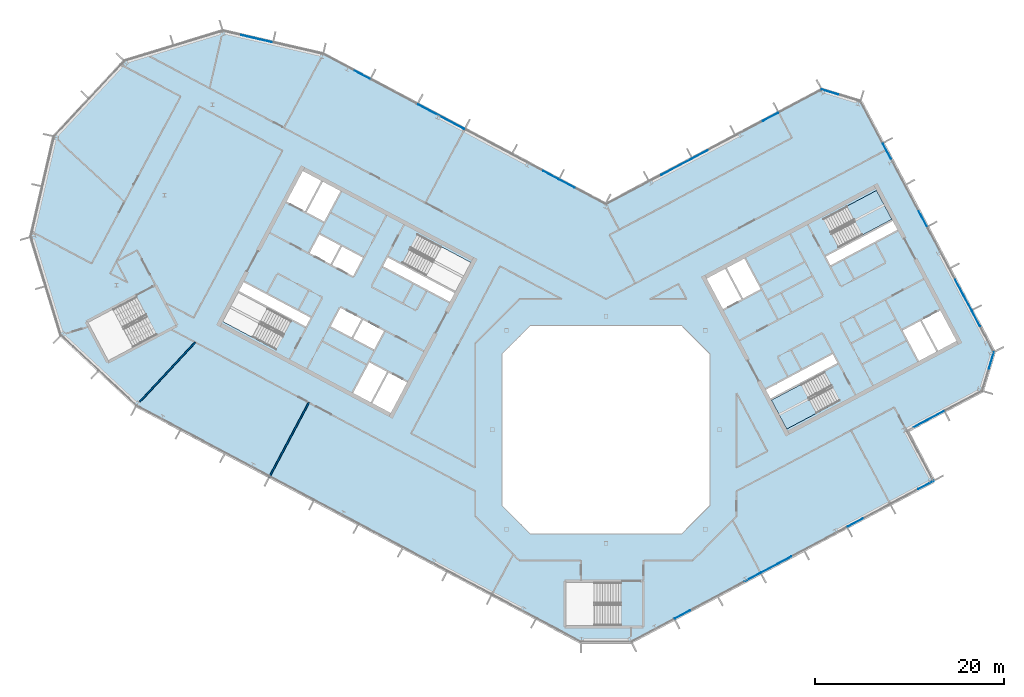
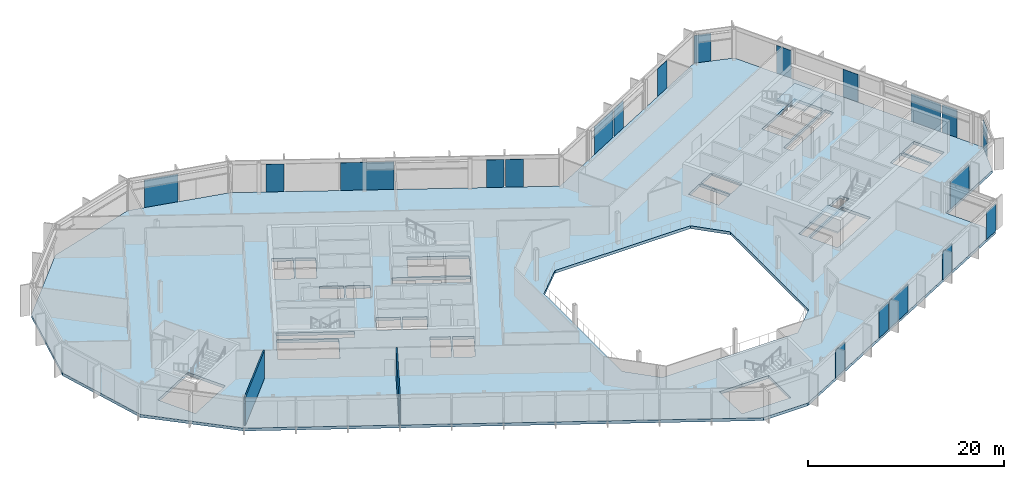
# One storey, part 12 of 26: 20 plates, 3 slabs, 2 walls, 10 elements without a shape of their own.
"""IFC4 building model written with IfcOpenShell, lengths in metres."""

import ifcopenshell
import ifcopenshell.guid

model = None  # the IFC model being written
_history = None  # IfcOwnerHistory: only IFC2X3 demands one
_inside = {}  # id of a spatial element -> (the spatial element, [elements in it])
_under = {}  # id of a project, library or spatial element -> (it, [spatial elements below it])
_declared = {}  # id of a project -> (the project, [libraries it declares])
_typed = {}  # id of a type object -> (the type object, [elements of that type])
_made_of = {}  # id of a material, layer set ... -> (it, [elements and type objects made of it])


def new_model(schema):
    """Start an empty IFC model of exactly this schema.

    Asked for "IFC4X3", IfcOpenShell would pick the latest addendum, in which some entities
    have other attributes; the version numbers below select the first issue.
    IFC2X3 requires an IfcOwnerHistory on every rooted entity: one is made here for all.
    """
    global model, _history
    if schema == "IFC4X3":
        model = ifcopenshell.file(schema_version=(4, 3, 0, 0))
    else:
        model = ifcopenshell.file(schema=schema)
    _inside.clear()
    _under.clear()
    _declared.clear()
    _typed.clear()
    _made_of.clear()
    _history = None
    if model.schema == "IFC2X3":
        org = make("IfcOrganization", Name="unknown")
        user = make(
            "IfcPersonAndOrganization",
            ThePerson=make("IfcPerson", FamilyName="unknown"),
            TheOrganization=org,
        )
        app = make(
            "IfcApplication",
            ApplicationDeveloper=org,
            Version="unknown",
            ApplicationFullName="unknown",
            ApplicationIdentifier="unknown",
        )
        _history = make(
            "IfcOwnerHistory",
            OwningUser=user,
            OwningApplication=app,
            ChangeAction="ADDED",
            CreationDate=0,
        )
    return model


def make(cls, **values):
    """One entity of the class cls with the attributes given. An attribute that is None is left unset."""
    return model.create_entity(
        cls, **{name: value for name, value in values.items() if value is not None}
    )


def rooted(cls, **values):
    """An entity with a GlobalId (a new one), such as an element, a storey or a relation."""
    return make(cls, GlobalId=ifcopenshell.guid.new(), OwnerHistory=_history, **values)


def si_unit(unit_type, name, prefix=None):
    """IfcSIUnit, for example si_unit("LENGTHUNIT", "METRE", prefix="MILLI")."""
    return make("IfcSIUnit", UnitType=unit_type, Prefix=prefix, Name=name)


def assignment(units):
    """IfcUnitAssignment: the units of a project."""
    return None if units is None else make("IfcUnitAssignment", Units=units)


def point(xyz):
    """IfcCartesianPoint."""
    return None if xyz is None else make("IfcCartesianPoint", Coordinates=xyz)


def direction(xyz):
    """IfcDirection."""
    return None if xyz is None else make("IfcDirection", DirectionRatios=xyz)


def frame(location, z_axis=None, x_axis=None):
    """IfcAxis2Placement3D, a coordinate frame: its origin and axes. An axis left out is left unset."""
    return make(
        "IfcAxis2Placement3D",
        Location=point(location),
        Axis=direction(z_axis),
        RefDirection=direction(x_axis),
    )


def frame_2d(location, x_axis=None):
    """IfcAxis2Placement2D, a coordinate frame in the plane: its origin and x axis."""
    return make(
        "IfcAxis2Placement2D", Location=point(location), RefDirection=direction(x_axis)
    )


def origin():
    """The frame at (0, 0, 0) with its axes left unset."""
    return frame((0.0, 0.0, 0.0))


def origin_2d():
    """The frame at (0, 0) in the plane with its x axis left unset."""
    return frame_2d((0.0, 0.0))


def place(relative_to, where):
    """IfcLocalPlacement: puts the frame where relative to a parent placement (None: the world)."""
    return make(
        "IfcLocalPlacement", PlacementRelTo=relative_to, RelativePlacement=where
    )


def context(
    kind, dimensions, precision=None, world=None, true_north=None, identifier=None
):
    """IfcGeometricRepresentationContext, for example the 3D "Model" context."""
    return make(
        "IfcGeometricRepresentationContext",
        ContextIdentifier=identifier,
        ContextType=kind,
        CoordinateSpaceDimension=dimensions,
        Precision=precision,
        WorldCoordinateSystem=world,
        TrueNorth=true_north,
    )


def subcontext(parent, identifier, kind, view, scale=None):
    """IfcGeometricRepresentationSubContext, for example "Body" below "Model"."""
    return make(
        "IfcGeometricRepresentationSubContext",
        ContextIdentifier=identifier,
        ContextType=kind,
        ParentContext=parent,
        TargetScale=scale,
        TargetView=view,
    )


def project(units=None, contexts=None):
    """IfcProject with its units and contexts."""
    return rooted(
        "IfcProject",
        Name="project",
        RepresentationContexts=contexts,
        UnitsInContext=assignment(units),
    )


def spatial(cls, under=None, at=None, **own):
    """A site, building, storey or space (cls), placed at a placement, below another one or the project."""
    s = rooted(cls, ObjectPlacement=at, **own)
    if under is not None:
        _under.setdefault(under.id(), (under, []))[1].append(s)
    return s


def polyline(points):
    """IfcPolyline through the points."""
    return make("IfcPolyline", Points=[point(p) for p in points])


def profile(cls, at=None, kind="AREA", **sizes):
    """A parametric profile (cls). Its sizes go by their IFC names, for example OverallWidth=200.0."""
    return make(cls, ProfileType=kind, Position=at, **sizes)


def rectangle(**sizes):
    """IfcRectangleProfileDef."""
    return profile("IfcRectangleProfileDef", **sizes)


def outline(outer, holes=None, kind="AREA"):
    """IfcArbitraryClosedProfileDef: a profile drawn as a closed curve; with holes, ...WithVoids."""
    if holes is None:
        return make("IfcArbitraryClosedProfileDef", ProfileType=kind, OuterCurve=outer)
    return make(
        "IfcArbitraryProfileDefWithVoids",
        ProfileType=kind,
        OuterCurve=outer,
        InnerCurves=holes,
    )


def extrude(swept, where, along, depth):
    """IfcExtrudedAreaSolid: the profile swept, set in the frame where, extruded along a direction by depth."""
    return make(
        "IfcExtrudedAreaSolid",
        SweptArea=swept,
        Position=where,
        ExtrudedDirection=direction(along),
        Depth=depth,
    )


def shape(context_of_items, identifier, shape_type, items):
    """IfcShapeRepresentation: the items that make up one representation, for example the "Body"."""
    return make(
        "IfcShapeRepresentation",
        ContextOfItems=context_of_items,
        RepresentationIdentifier=identifier,
        RepresentationType=shape_type,
        Items=items,
    )


def material(Name=None, Category=None):
    """IfcMaterial."""
    return make("IfcMaterial", Name=Name, Category=Category)


def layer(
    of_material, thickness, ventilated=None, Name=None, Category=None, Priority=None
):
    """IfcMaterialLayer: one layer of a wall or slab, of a material (None: an air gap)."""
    return make(
        "IfcMaterialLayer",
        Material=of_material,
        LayerThickness=thickness,
        IsVentilated=ventilated,
        Name=Name,
        Category=Category,
        Priority=Priority,
    )


def layer_set(layers, Name=None):
    """IfcMaterialLayerSet."""
    return make("IfcMaterialLayerSet", MaterialLayers=layers, LayerSetName=Name)


def made_of(thing, what):
    """Note that an element or type object is made of a material, layer set ...; save() writes the relation."""
    if what is not None:
        _made_of.setdefault(what.id(), (what, []))[1].append(thing)
    return thing


def type_object(cls, material=None, **own):
    """A type object (cls), such as IfcWallType, which elements share."""
    return made_of(rooted(cls, **own), material)


def element(
    cls,
    number,
    at=None,
    inside=None,
    cuts=None,
    type_object=None,
    material=None,
    context=None,
    identifier="Body",
    shape_type=None,
    held_by="IfcProductDefinitionShape",
    body=None,
    shapes=None,
    **own,
):
    """One element of the class cls, such as IfcWall. Its Tag is "e" and its number.

    at: its placement. inside: the storey or other place that contains it. cuts: it is an
    opening in that element (IfcRelVoidsElement). A single representation is given by context,
    identifier, shape_type and body (its items); several are given by shapes. held_by: the class
    of the entity that holds the representations. save() writes the other relations.
    """
    e = rooted(cls, Tag="e%d" % number, ObjectPlacement=at, **own)
    if body is not None:
        shapes = [shape(context, identifier, shape_type, body)]
    if shapes is not None:
        e.Representation = make(held_by, Representations=shapes)
    if inside is not None:
        _inside.setdefault(inside.id(), (inside, []))[1].append(e)
    if cuts is not None:
        rooted(
            "IfcRelVoidsElement", RelatingBuildingElement=cuts, RelatedOpeningElement=e
        )
    if type_object is not None:
        _typed.setdefault(type_object.id(), (type_object, []))[1].append(e)
    return made_of(e, material)


def aggregate(whole, parts):
    """IfcRelAggregates: a whole, such as a stair, and the parts it consists of."""
    return rooted("IfcRelAggregates", RelatingObject=whole, RelatedObjects=parts)


def save(model, path):
    """Write the relations noted so far, then the file.

    IfcRelAggregates (storeys below a building ...), IfcRelContainedInSpatialStructure (elements
    in a storey), IfcRelDefinesByType, IfcRelAssociatesMaterial and IfcRelDeclares: one each for
    every whole, place, type object, material and project.
    """
    for whole, parts in _under.values():
        aggregate(whole, parts)
    for where, things in _inside.values():
        rooted(
            "IfcRelContainedInSpatialStructure",
            RelatedElements=things,
            RelatingStructure=where,
        )
    for kind, things in _typed.values():
        rooted("IfcRelDefinesByType", RelatedObjects=things, RelatingType=kind)
    for what, things in _made_of.values():
        rooted("IfcRelAssociatesMaterial", RelatedObjects=things, RelatingMaterial=what)
    for by, libraries in _declared.values():
        rooted("IfcRelDeclares", RelatingContext=by, RelatedDefinitions=libraries)
    model.write(path)


model = new_model("IFC4")

# Units and contexts
model_context = context("Model", 3, precision=1e-05, world=origin(), true_north=direction((0.0, 1.0)))
body_context = subcontext(model_context, "Body", "Model", "MODEL_VIEW")
ifc_project = project(units=[si_unit("LENGTHUNIT", "METRE"), si_unit("AREAUNIT", "SQUARE_METRE"), si_unit("VOLUMEUNIT", "CUBIC_METRE"), si_unit("PLANEANGLEUNIT", "RADIAN"), si_unit("MASSUNIT", "GRAM", prefix="KILO")], contexts=[model_context])

# Site, building, storey
site_placement = place(None, origin())
site = spatial("IfcSite", under=ifc_project, at=site_placement, CompositionType="ELEMENT")
building_placement = place(site_placement, origin())
building = spatial("IfcBuilding", under=site, at=building_placement, Name="Cormorant Relay Tower", CompositionType="ELEMENT")
storey_placement = place(building_placement, frame((0.0, 0.0, 277.5)))
storey = spatial("IfcBuildingStorey", under=building, at=storey_placement, Name="L62", CompositionType="ELEMENT", Elevation=277.5)

# Curtain wall, plates
ifc_material_1 = material(Name="Aluminium 6063-T6 anodised bronze", Category="aluminium")
ifc_layer_1 = layer(ifc_material_1, 0.199951171875)
ifc_layer_set_1 = layer_set([ifc_layer_1], Name="CW1 unitised bronze curtain wall with vertical fins")
curtain_wall_type = type_object("IfcCurtainWallType", Name="CW1 unitised bronze curtain wall with vertical fins", PredefinedType="NOTDEFINED", material=ifc_layer_set_1)
curtain_wall_1_placement = place(storey_placement, origin())
curtain_wall_1 = element("IfcCurtainWall", 1, at=curtain_wall_1_placement, inside=storey, type_object=curtain_wall_type, Name="CW1 curtain wall 2", PredefinedType="NOTDEFINED")
ifc_material_2 = material(Name="Tinted laminated glass", Category="glass")
ifc_layer_2 = layer(ifc_material_2, 0.0400390625)
ifc_layer_set_2 = layer_set([ifc_layer_2], Name="CW1 tinted vision panel 1800 module")
plate_type_1 = type_object("IfcPlateType", Name="CW1 tinted vision panel 1800 module", PredefinedType="CURTAIN_PANEL", material=ifc_layer_set_2)
plate_1_placement = place(storey_placement, frame((8.080810546875, -19.510009765625, 0.0), z_axis=(0.0, 0.0, 1.0), x_axis=(0.882947592859, 0.469471562786, 0.0)))
plate_1 = element("IfcPlate", 2, at=plate_1_placement, type_object=plate_type_1, Name="CW1 panel V01", PredefinedType="CURTAIN_PANEL", context=body_context, shape_type="SweptSolid", body=[
    extrude(rectangle(XDim=1.800048828125, YDim=0.0400390625, at=origin_2d()), origin(), (0.0, 0.0, 1.0), 3.449951171875),
])
plate_2_placement = place(storey_placement, frame((15.48291015625, -15.57421875, 0.0), z_axis=(0.0, 0.0, 1.0), x_axis=(0.882947592859, 0.469471562786, 0.0)))
plate_2 = element("IfcPlate", 3, at=plate_2_placement, type_object=plate_type_1, Name="CW1 panel V03", PredefinedType="CURTAIN_PANEL", context=body_context, shape_type="SweptSolid", body=[
    extrude(rectangle(XDim=1.800048828125, YDim=0.0400390625, at=origin_2d()), origin(), (0.0, 0.0, 1.0), 3.449951171875),
])
plate_3_placement = place(storey_placement, frame((26.328125, -9.8076171875, 0.0), z_axis=(0.0, 0.0, 1.0), x_axis=(0.882947592859, 0.469471562786, 0.0)))
plate_3 = element("IfcPlate", 4, at=plate_3_placement, type_object=plate_type_1, Name="CW1 panel V06", PredefinedType="CURTAIN_PANEL", context=body_context, shape_type="SweptSolid", body=[
    extrude(rectangle(XDim=1.800048828125, YDim=0.0400390625, at=origin_2d()), origin(), (0.0, 0.0, 1.0), 3.449951171875),
])
plate_4_placement = place(storey_placement, frame((33.796142578125, -5.8369140625, 0.0), z_axis=(0.0, 0.0, 1.0), x_axis=(0.882947592859, 0.469471562786, 0.0)))
plate_4 = element("IfcPlate", 5, at=plate_4_placement, type_object=plate_type_1, Name="CW1 panel V08", PredefinedType="CURTAIN_PANEL", context=body_context, shape_type="SweptSolid", body=[
    extrude(rectangle(XDim=1.800048828125, YDim=0.0400390625, at=origin_2d()), origin(), (0.0, 0.0, 1.0), 3.449951171875),
])

# Curtain wall, plate
curtain_wall_2_placement = place(storey_placement, origin())
curtain_wall_2 = element("IfcCurtainWall", 6, at=curtain_wall_2_placement, inside=storey, type_object=curtain_wall_type, Name="CW1 curtain wall 5", PredefinedType="NOTDEFINED")
plate_5_placement = place(storey_placement, frame((40.70751953125, 7.31689453125, 0.0), z_axis=(0.0, 0.0, 1.0), x_axis=(0.292371704723, 0.956304755963, 0.0)))
plate_5 = element("IfcPlate", 7, at=plate_5_placement, type_object=plate_type_1, Name="CW1 panel V01", PredefinedType="CURTAIN_PANEL", context=body_context, shape_type="SweptSolid", body=[
    extrude(rectangle(XDim=1.800048828125, YDim=0.0400390625, at=origin_2d()), origin(), (0.0, 0.0, 1.0), 3.449951171875),
])
aggregate(curtain_wall_2, [plate_5])

# Curtain wall, plates
curtain_wall_3_placement = place(storey_placement, origin())
curtain_wall_3 = element("IfcCurtainWall", 8, at=curtain_wall_3_placement, inside=storey, type_object=curtain_wall_type, Name="CW1 curtain wall 6", PredefinedType="NOTDEFINED")
plate_6_placement = place(storey_placement, frame((39.07958984375, 11.74658203125, 0.0), z_axis=(0.0, 0.0, 1.0), x_axis=(-0.469471562786, 0.882947592859, 0.0)))
plate_6 = element("IfcPlate", 9, at=plate_6_placement, type_object=plate_type_1, Name="CW1 panel V01", PredefinedType="CURTAIN_PANEL", context=body_context, shape_type="SweptSolid", body=[
    extrude(rectangle(XDim=1.800048828125, YDim=0.0400390625, at=origin_2d()), origin(), (0.0, 0.0, 1.0), 3.449951171875),
])
plate_7_placement = place(storey_placement, frame((33.469482421875, 22.298095703125, 0.0), z_axis=(0.0, 0.0, 1.0), x_axis=(-0.469471562786, 0.882947592859, 0.0)))
plate_7 = element("IfcPlate", 10, at=plate_7_placement, type_object=plate_type_1, Name="CW1 panel V04", PredefinedType="CURTAIN_PANEL", context=body_context, shape_type="SweptSolid", body=[
    extrude(rectangle(XDim=1.800048828125, YDim=0.0400390625, at=origin_2d()), origin(), (0.0, 0.0, 1.0), 3.449951171875),
])
plate_8_placement = place(storey_placement, frame((29.690185546875, 29.40576171875, 0.0), z_axis=(0.0, 0.0, 1.0), x_axis=(-0.469471562786, 0.882947592859, 0.0)))
plate_8 = element("IfcPlate", 11, at=plate_8_placement, type_object=plate_type_1, Name="CW1 panel V06", PredefinedType="CURTAIN_PANEL", context=body_context, shape_type="SweptSolid", body=[
    extrude(rectangle(XDim=1.800048828125, YDim=0.0400390625, at=origin_2d()), origin(), (0.0, 0.0, 1.0), 3.449951171875),
])

# Curtain wall, plate
curtain_wall_4_placement = place(storey_placement, origin())
curtain_wall_4 = element("IfcCurtainWall", 12, at=curtain_wall_4_placement, inside=storey, type_object=curtain_wall_type, Name="CW1 curtain wall 7", PredefinedType="NOTDEFINED")
plate_9_placement = place(storey_placement, frame((23.6767578125, 35.668212890625, 0.0), z_axis=(0.0, 0.0, 1.0), x_axis=(-0.956304755963, 0.292371704723, 0.0)))
plate_9 = element("IfcPlate", 13, at=plate_9_placement, type_object=plate_type_1, Name="CW1 panel V01", PredefinedType="CURTAIN_PANEL", context=body_context, shape_type="SweptSolid", body=[
    extrude(rectangle(XDim=1.800048828125, YDim=0.0400390625, at=origin_2d()), origin(), (0.0, 0.0, 1.0), 3.449951171875),
])
aggregate(curtain_wall_4, [plate_9])

# Curtain wall, plates
curtain_wall_5_placement = place(storey_placement, origin())
curtain_wall_5 = element("IfcCurtainWall", 14, at=curtain_wall_5_placement, inside=storey, type_object=curtain_wall_type, Name="CW1 curtain wall 8", PredefinedType="NOTDEFINED")
plate_10_placement = place(storey_placement, frame((17.3779296875, 33.046630859375, 0.0), z_axis=(0.0, 0.0, 1.0), x_axis=(-0.882947592859, -0.469471562786, 0.0)))
plate_10 = element("IfcPlate", 15, at=plate_10_placement, type_object=plate_type_1, Name="CW1 panel V01", PredefinedType="CURTAIN_PANEL", context=body_context, shape_type="SweptSolid", body=[
    extrude(rectangle(XDim=1.800048828125, YDim=0.0400390625, at=origin_2d()), origin(), (0.0, 0.0, 1.0), 3.449951171875),
])
plate_11_placement = place(storey_placement, frame((9.9755859375, 29.110595703125, 0.0), z_axis=(0.0, 0.0, 1.0), x_axis=(-0.882947592859, -0.469471562786, 0.0)))
plate_11 = element("IfcPlate", 16, at=plate_11_placement, type_object=plate_type_1, Name="CW1 panel V03", PredefinedType="CURTAIN_PANEL", context=body_context, shape_type="SweptSolid", body=[
    extrude(rectangle(XDim=1.800048828125, YDim=0.0400390625, at=origin_2d()), origin(), (0.0, 0.0, 1.0), 3.449951171875),
])

curtain_wall_6_placement = place(storey_placement, origin())
curtain_wall_6 = element("IfcCurtainWall", 17, at=curtain_wall_6_placement, inside=storey, type_object=curtain_wall_type, Name="CW1 curtain wall 9", PredefinedType="NOTDEFINED")
plate_12_placement = place(storey_placement, frame((-4.108642578125, 25.9912109375, 0.0), z_axis=(0.0, 0.0, 1.0), x_axis=(-0.882947592859, 0.469471562786, 0.0)))
plate_12 = element("IfcPlate", 18, at=plate_12_placement, type_object=plate_type_1, Name="CW1 panel V01", PredefinedType="CURTAIN_PANEL", context=body_context, shape_type="SweptSolid", body=[
    extrude(rectangle(XDim=1.800048828125, YDim=0.0400390625, at=origin_2d()), origin(), (0.0, 0.0, 1.0), 3.449951171875),
])
plate_13_placement = place(storey_placement, frame((-5.830322265625, 26.90673828125, 0.0), z_axis=(0.0, 0.0, 1.0), x_axis=(-0.882947592859, 0.469471562786, 0.0)))
plate_13 = element("IfcPlate", 19, at=plate_13_placement, type_object=plate_type_1, Name="CW1 panel V02", PredefinedType="CURTAIN_PANEL", context=body_context, shape_type="SweptSolid", body=[
    extrude(rectangle(XDim=1.800048828125, YDim=0.0400390625, at=origin_2d()), origin(), (0.0, 0.0, 1.0), 3.449951171875),
])
plate_14_placement = place(storey_placement, frame((-25.746337890625, 37.49609375, 0.0), z_axis=(0.0, 0.0, 1.0), x_axis=(-0.882947592859, 0.469471562786, 0.0)))
plate_14 = element("IfcPlate", 20, at=plate_14_placement, type_object=plate_type_1, Name="CW1 panel V06", PredefinedType="CURTAIN_PANEL", context=body_context, shape_type="SweptSolid", body=[
    extrude(rectangle(XDim=1.800048828125, YDim=0.0400390625, at=origin_2d()), origin(), (0.0, 0.0, 1.0), 3.449951171875),
])

# Plate
ifc_material_3 = material(Name="Tinted laminated glass", Category="glass")
ifc_layer_3 = layer(ifc_material_3, 0.0400390625)
ifc_layer_set_3 = layer_set([ifc_layer_3], Name="CW1 tinted vision panel 3600 module")
plate_type_2 = type_object("IfcPlateType", Name="CW1 tinted vision panel 3600 module", PredefinedType="CURTAIN_PANEL", material=ifc_layer_set_3)
plate_15_placement = place(storey_placement, frame((17.999267578125, -14.236328125, 0.0), z_axis=(0.0, 0.0, 1.0), x_axis=(0.882947592859, 0.469471562786, 0.0)))
plate_15 = element("IfcPlate", 21, at=plate_15_placement, type_object=plate_type_2, Name="CW1 panel V04", PredefinedType="CURTAIN_PANEL", context=body_context, shape_type="SweptSolid", body=[
    extrude(rectangle(XDim=3.60009765625, YDim=0.0400390625, at=origin_2d()), origin(), (0.0, 0.0, 1.0), 3.449951171875),
])

aggregate(curtain_wall_1, [plate_1, plate_2, plate_15, plate_3, plate_4])

# Curtain wall, plate
curtain_wall_7_placement = place(storey_placement, origin())
curtain_wall_7 = element("IfcCurtainWall", 22, at=curtain_wall_7_placement, inside=storey, type_object=curtain_wall_type, Name="CW1 curtain wall 4", PredefinedType="NOTDEFINED")
plate_16_placement = place(storey_placement, frame((34.091796875, 1.11572265625, 0.0), z_axis=(0.0, 0.0, 1.0), x_axis=(0.882947592859, 0.469471562786, 0.0)))
plate_16 = element("IfcPlate", 23, at=plate_16_placement, type_object=plate_type_2, Name="CW1 panel V01", PredefinedType="CURTAIN_PANEL", context=body_context, shape_type="SweptSolid", body=[
    extrude(rectangle(XDim=3.60009765625, YDim=0.0400390625, at=origin_2d()), origin(), (0.0, 0.0, 1.0), 3.449951171875),
])
aggregate(curtain_wall_7, [plate_16])

# Plate
plate_17_placement = place(storey_placement, frame((37.74169921875, 14.26318359375, 0.0), z_axis=(0.0, 0.0, 1.0), x_axis=(-0.469471562786, 0.882947592859, 0.0)))
plate_17 = element("IfcPlate", 24, at=plate_17_placement, type_object=plate_type_2, Name="CW1 panel V02", PredefinedType="CURTAIN_PANEL", context=body_context, shape_type="SweptSolid", body=[
    extrude(rectangle(XDim=3.60009765625, YDim=0.0400390625, at=origin_2d()), origin(), (0.0, 0.0, 1.0), 3.449951171875),
])

aggregate(curtain_wall_3, [plate_6, plate_17, plate_7, plate_8])

plate_18_placement = place(storey_placement, frame((7.458984375, 27.772705078125, 0.0), z_axis=(0.0, 0.0, 1.0), x_axis=(-0.882947592859, -0.469471562786, 0.0)))
plate_18 = element("IfcPlate", 25, at=plate_18_placement, type_object=plate_type_2, Name="CW1 panel V04", PredefinedType="CURTAIN_PANEL", context=body_context, shape_type="SweptSolid", body=[
    extrude(rectangle(XDim=3.60009765625, YDim=0.0400390625, at=origin_2d()), origin(), (0.0, 0.0, 1.0), 3.449951171875),
])

aggregate(curtain_wall_5, [plate_10, plate_11, plate_18])

# Curtain wall, plate
curtain_wall_8_placement = place(storey_placement, origin())
curtain_wall_8 = element("IfcCurtainWall", 26, at=curtain_wall_8_placement, inside=storey, type_object=curtain_wall_type, Name="CW1 curtain wall 10", PredefinedType="NOTDEFINED")
plate_19_placement = place(storey_placement, frame((-36.9921875, 41.33203125, 0.0), z_axis=(0.0, 0.0, 1.0), x_axis=(-0.974370064785, 0.224951054344, 0.0)))
plate_19 = element("IfcPlate", 27, at=plate_19_placement, type_object=plate_type_2, Name="CW1 panel V02", PredefinedType="CURTAIN_PANEL", context=body_context, shape_type="SweptSolid", body=[
    extrude(rectangle(XDim=3.60009765625, YDim=0.0400390625, at=origin_2d()), origin(), (0.0, 0.0, 1.0), 3.449951171875),
])
aggregate(curtain_wall_8, [plate_19])

# Plate
ifc_material_4 = material(Name="Tinted laminated glass", Category="glass")
ifc_layer_4 = layer(ifc_material_4, 0.0400390625)
ifc_layer_set_4 = layer_set([ifc_layer_4], Name="CW1 tinted vision panel 5400 module")
plate_type_3 = type_object("IfcPlateType", Name="CW1 tinted vision panel 5400 module", PredefinedType="CURTAIN_PANEL", material=ifc_layer_set_4)
plate_20_placement = place(storey_placement, frame((-17.4169921875, 33.0673828125, 0.0), z_axis=(0.0, 0.0, 1.0), x_axis=(-0.882947592859, 0.469471562786, 0.0)))
plate_20 = element("IfcPlate", 28, at=plate_20_placement, type_object=plate_type_3, Name="CW1 panel V04", PredefinedType="CURTAIN_PANEL", context=body_context, shape_type="SweptSolid", body=[
    extrude(rectangle(XDim=5.489013671875, YDim=0.0400390625, at=origin_2d()), origin(), (0.0, 0.0, 1.0), 3.449951171875),
])

aggregate(curtain_wall_6, [plate_12, plate_13, plate_20, plate_14])

# Stair, slab
ifc_material_5 = material(Name="Concrete 40 MPa", Category="concrete")
stair_type = type_object("IfcStairType", Name="Exit stair 1500", PredefinedType="HALF_TURN_STAIR", material=ifc_material_5)
stair_1_placement = place(storey_placement, origin())
stair_1 = element("IfcStair", 29, at=stair_1_placement, inside=storey, type_object=stair_type, Name="L62 Stair", PredefinedType="HALF_TURN_STAIR")
ifc_material_6 = material(Name="Concrete 40 MPa", Category="concrete")
ifc_layer_5 = layer(ifc_material_6, 0.199951171875)
ifc_layer_set_5 = layer_set([ifc_layer_5], Name="Exit stair landing 200")
slab_type_1 = type_object("IfcSlabType", Name="Exit stair landing 200", PredefinedType="LANDING", material=ifc_layer_set_5)
slab_1_placement = place(storey_placement, frame((0.0, 0.0, 1.75)))
slab_1 = element("IfcSlab", 30, at=slab_1_placement, type_object=slab_type_1, Name="B1 landing 1", PredefinedType="LANDING", context=body_context, shape_type="SweptSolid", body=[
    extrude(outline(polyline([(20.614990234375, 4.78857421875), (17.48046875, 3.1220703125), (19.10009765625, 0.075927734375), (22.234619140625, 1.742431640625), (20.614990234375, 4.78857421875)])), origin(), (0.0, 0.0, 1.0), 0.199951171875),
])
aggregate(stair_1, [slab_1])

stair_2_placement = place(storey_placement, origin())
stair_2 = element("IfcStair", 31, at=stair_2_placement, inside=storey, type_object=stair_type, Name="L62 Stair", PredefinedType="HALF_TURN_STAIR")
slab_2_placement = place(storey_placement, frame((0.0, 0.0, 1.75)))
slab_2 = element("IfcSlab", 32, at=slab_2_placement, type_object=slab_type_1, Name="B2 landing 1", PredefinedType="LANDING", context=body_context, shape_type="SweptSolid", body=[
    extrude(outline(polyline([(27.064208984375, 20.562744140625), (30.19873046875, 22.2294921875), (28.5791015625, 25.275634765625), (25.444580078125, 23.60888671875), (27.064208984375, 20.562744140625)])), origin(), (0.0, 0.0, 1.0), 0.199951171875),
])
aggregate(stair_2, [slab_2])

# Slab
ifc_material_7 = material(Name="Concrete 40 MPa", Category="concrete")
ifc_layer_6 = layer(ifc_material_7, 0.360107421875)
ifc_layer_set_6 = layer_set([ifc_layer_6], Name="Flat plate 360")
slab_type_2 = type_object("IfcSlabType", Name="Flat plate 360", PredefinedType="FLOOR", material=ifc_layer_set_6)
slab_3_placement = place(storey_placement, frame((0.0, 0.0, -0.360107421875)))
element("IfcSlab", 33, at=slab_3_placement, inside=storey, type_object=slab_type_2, Name="Floor slab L62", PredefinedType="FLOOR", context=body_context, shape_type="SweptSolid", body=[
    extrude(outline(polyline([(-60.7197265625, 20.393310546875), (-58.2744140625, 30.985107421875), (-50.86083984375, 38.935302734375), (-40.465576171875, 42.11328125), (-29.873779296875, 39.668212890625), (0.0, 23.783935546875), (22.810302734375, 35.912353515625), (26.867431640625, 34.671875), (40.95166015625, 8.18359375), (39.711181640625, 4.126220703125), (31.7646484375, -0.09912109375), (34.581298828125, -5.396728515625), (2.648681640625, -22.37548828125), (-2.648681640625, -22.37548828125), (-49.591552734375, 2.584228515625), (-57.541748046875, 9.997802734375), (-60.7197265625, 20.393310546875)]), holes=[polyline([(11.0, -8.0), (11.0, 8.0), (8.0, 11.0), (-8.0, 11.0), (-11.0, 8.0), (-11.0, -8.0), (-8.0, -11.0), (8.0, -11.0), (11.0, -8.0)]), polyline([(-22.95458984375, 6.03271484375), (-24.668212890625, 2.81005859375), (-22.725830078125, 1.777099609375), (-21.01220703125, 5.0), (-23.04296875, 6.07958984375), (-22.95458984375, 6.03271484375)]), polyline([(-24.985595703125, 7.112548828125), (-26.69921875, 3.889892578125), (-24.844970703125, 2.90380859375), (-23.13134765625, 6.126708984375), (-23.04296875, 6.07958984375), (-24.985595703125, 7.112548828125)]), polyline([(-26.688720703125, 9.660400390625), (-24.481201171875, 8.48681640625), (-23.448486328125, 10.42919921875), (-25.656005859375, 11.602783203125), (-26.688720703125, 9.660400390625)]), polyline([(-49.57861328125, 14.0537109375), (-54.69970703125, 11.330810546875), (-52.563720703125, 7.3134765625), (-47.442626953125, 10.036376953125), (-49.57861328125, 14.0537109375)]), polyline([(-28.039794921875, 12.870361328125), (-29.07275390625, 10.927978515625), (-26.865234375, 9.75439453125), (-25.83251953125, 11.69677734375), (-28.039794921875, 12.870361328125)]), polyline([(-38.847900390625, 14.483154296875), (-40.46728515625, 11.43701171875), (-34.860595703125, 8.455810546875), (-33.240966796875, 11.502197265625), (-38.847900390625, 14.483154296875)]), polyline([(-38.260986328125, 15.5869140625), (-38.75390625, 14.659912109375), (-31.690185546875, 10.904052734375), (-31.197265625, 11.8310546875), (-38.260986328125, 15.5869140625)]), polyline([(-25.670166015625, 18.17919921875), (-27.87744140625, 19.35302734375), (-28.910400390625, 17.410400390625), (-26.702880859375, 16.23681640625), (-25.670166015625, 18.17919921875)]), polyline([(-30.261474609375, 20.62060546875), (-31.294189453125, 18.677978515625), (-29.0869140625, 17.50439453125), (-28.053955078125, 19.447021484375), (-30.261474609375, 20.62060546875)]), polyline([(-31.611572265625, 22.980712890625), (-29.75732421875, 21.99462890625), (-28.043701171875, 25.217529296875), (-29.89794921875, 26.203369140625), (-31.611572265625, 22.980712890625)]), polyline([(-32.01708984375, 27.330078125), (-33.73046875, 24.107421875), (-31.7880859375, 23.074462890625), (-30.074462890625, 26.29736328125), (-32.01708984375, 27.330078125)]), polyline([(-4.199951171875, -16.125), (-4.199951171875, -20.675048828125), (1.60009765625, -20.675048828125), (1.60009765625, -16.125), (-4.199951171875, -16.125)]), polyline([(17.48046875, 3.1220703125), (19.10009765625, 0.07568359375), (24.706787109375, 3.056884765625), (23.087158203125, 6.10302734375), (17.48046875, 3.1220703125)]), polyline([(17.386474609375, 3.298583984375), (24.4501953125, 7.054443359375), (23.957275390625, 7.9814453125), (16.8935546875, 4.2255859375), (17.386474609375, 3.298583984375)]), polyline([(33.197021484375, 11.478515625), (31.3427734375, 10.49267578125), (33.056396484375, 7.27001953125), (34.910400390625, 8.255859375), (33.197021484375, 11.478515625)]), polyline([(33.37353515625, 11.572509765625), (35.087158203125, 8.349609375), (37.029541015625, 9.382568359375), (35.31591796875, 12.605224609375), (33.37353515625, 11.572509765625)]), polyline([(14.3056640625, 13.779052734375), (12.592041015625, 17.001708984375), (10.649658203125, 15.968994140625), (12.36328125, 12.74609375), (14.39404296875, 13.825927734375), (14.3056640625, 13.779052734375)]), polyline([(16.33642578125, 14.85888671875), (14.622802734375, 18.08154296875), (12.768798828125, 17.095703125), (14.482421875, 13.872802734375), (14.39404296875, 13.825927734375), (16.33642578125, 14.85888671875)]), polyline([(-16.481689453125, 13.520263671875), (-15.989013671875, 14.447509765625), (-23.052490234375, 18.203125), (-23.54541015625, 17.276123046875), (-16.481689453125, 13.520263671875)]), polyline([(-15.89501953125, 14.6240234375), (-14.275390625, 17.670166015625), (-19.882080078125, 20.6513671875), (-21.501708984375, 17.605224609375), (-15.89501953125, 14.6240234375)]), polyline([(30.78564453125, 21.125732421875), (30.29248046875, 22.052978515625), (23.22900390625, 18.297119140625), (23.721923828125, 17.3701171875), (30.78564453125, 21.125732421875)]), polyline([(24.592041015625, 19.248291015625), (30.19873046875, 22.2294921875), (28.5791015625, 25.275634765625), (22.972412109375, 22.29443359375), (24.592041015625, 19.248291015625)])]), origin(), (0.0, 0.0, 1.0), 0.360107421875),
])

# Walls
ifc_material_8 = material(Name="Gypsum board partition")
ifc_layer_7 = layer(ifc_material_8, 0.14990234375)
ifc_layer_set_7 = layer_set([ifc_layer_7], Name="Tenant partition 150")
wall_type = type_object("IfcWallType", Name="Tenant partition 150", PredefinedType="PARTITIONING", material=ifc_layer_set_7)
wall_1_placement = place(storey_placement, frame((-43.3779296875, 9.2470703125, 0.0), z_axis=(0.0, 0.0, 1.0), x_axis=(-0.682017944942, -0.731335437934, 0.0)))
element("IfcWall", 34, at=wall_1_placement, inside=storey, type_object=wall_type, Name="wall/L62/part/006", PredefinedType="PARTITIONING", context=body_context, shape_type="SweptSolid", body=[
    extrude(rectangle(XDim=8.633544921875, YDim=0.14990234375, at=frame_2d((4.31689453125, 0.0))), origin(), (0.0, 0.0, 1.0), 3.5400390625),
])
wall_2_placement = place(storey_placement, frame((-31.376953125, 2.865966796875, 0.0), z_axis=(0.0, 0.0, 1.0), x_axis=(-0.469565734835, -0.88289751425, 0.0)))
element("IfcWall", 35, at=wall_2_placement, inside=storey, type_object=wall_type, Name="wall/L62/part/007", PredefinedType="PARTITIONING", context=body_context, shape_type="SweptSolid", body=[
    extrude(rectangle(XDim=9.0, YDim=0.14990234375, at=frame_2d((4.5, 0.0))), origin(), (0.0, 0.0, 1.0), 3.5400390625),
])

save(model, "model.ifc")
